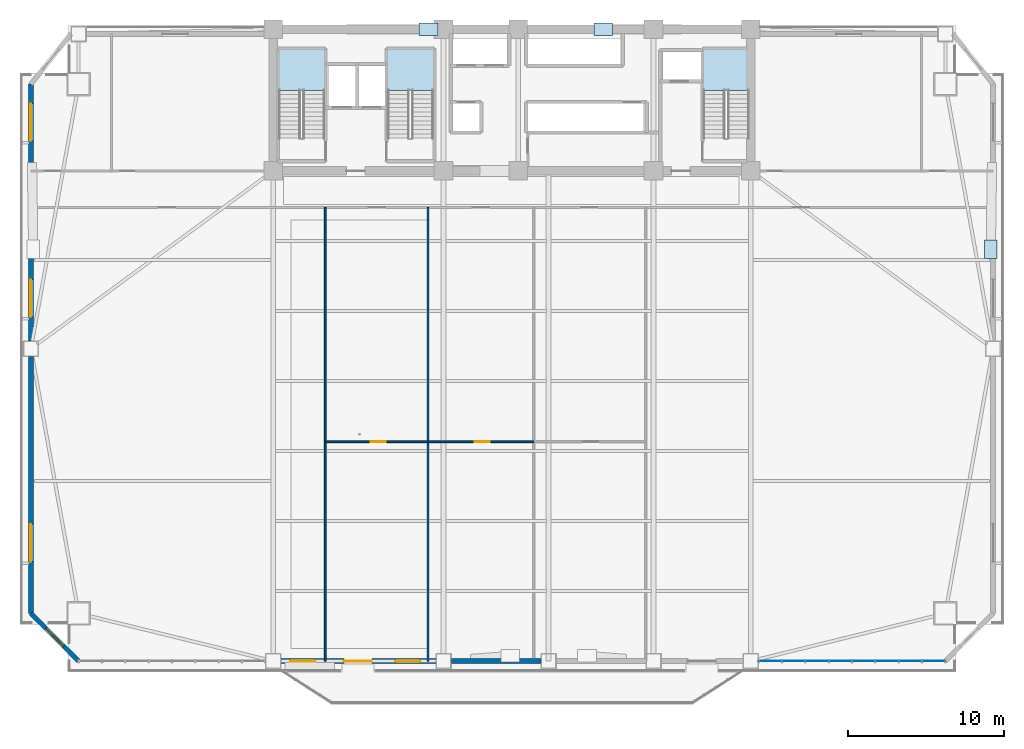
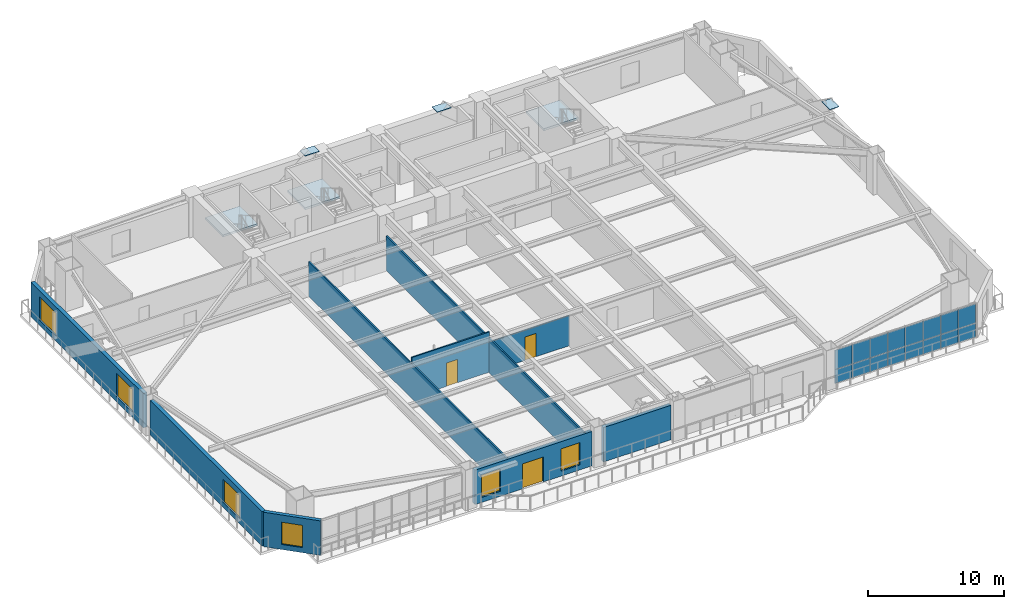
# One storey, part 7 of 16: 19 plates, 9 walls, 6 windows, 3 doors, 3 slabs, 9 openings, 4 elements without a shape of their own.
"""IFC4 building model written with IfcOpenShell, lengths in metres."""

from ifc_helpers import new_model, si_unit, direction, frame, frame_2d, origin, origin_2d, place, context, subcontext, project, spatial, polyline, rectangle, outline, extrude, source, transform, mapped, material, layer, layer_set, type_object, element, fill, aggregate, save


model = new_model("IFC4")

# Units and contexts
model_context = context("Model", 3, precision=1e-05, world=origin(), true_north=direction((0.0, 1.0)))
body_context = subcontext(model_context, "Body", "Model", "MODEL_VIEW")
ifc_project = project(units=[si_unit("LENGTHUNIT", "METRE"), si_unit("AREAUNIT", "SQUARE_METRE"), si_unit("VOLUMEUNIT", "CUBIC_METRE"), si_unit("PLANEANGLEUNIT", "RADIAN"), si_unit("MASSUNIT", "GRAM", prefix="KILO")], contexts=[model_context])

# Site, building, storey
site_placement = place(None, origin())
site = spatial("IfcSite", under=ifc_project, at=site_placement, CompositionType="ELEMENT")
building_placement = place(site_placement, origin())
building = spatial("IfcBuilding", under=site, at=building_placement, Name="Giltprow Tower", CompositionType="ELEMENT")
storey_placement = place(building_placement, frame((0.0, 0.0, 91.300048828125)))
storey = spatial("IfcBuildingStorey", under=building, at=storey_placement, Name="L22", CompositionType="ELEMENT", Elevation=91.300048828125)

# Stair, slab
ifc_material_1 = material(Name="Concrete C40", Category="concrete")
stair_type_1 = type_object("IfcStairType", Name="STR-ST-1", PredefinedType="HALF_TURN_STAIR", material=ifc_material_1)
stair_1_placement = place(storey_placement, origin())
stair_1 = element("IfcStair", 1, at=stair_1_placement, inside=storey, type_object=stair_type_1, Name="L22 Core Exit Stair ST-1", PredefinedType="HALF_TURN_STAIR")
ifc_layer_1 = layer(ifc_material_1, 0.179931640625, Name="Concrete C40")
ifc_layer_set_1 = layer_set([ifc_layer_1], Name="Concrete C40")
slab_type_1 = type_object("IfcSlabType", Name="SLD-ST-1", PredefinedType="LANDING", material=ifc_layer_set_1)
slab_1_placement = place(storey_placement, frame((0.0, 0.0, 1.77001953125)))
slab_1 = element("IfcSlab", 2, at=slab_1_placement, type_object=slab_type_1, Name="ST-1 landing 1", PredefinedType="LANDING", context=body_context, shape_type="SweptSolid", body=[
    extrude(outline(polyline([(23.159912109375, 42.6298828125), (23.159912109375, 45.25), (20.199951171875, 45.25), (20.199951171875, 42.6298828125), (23.159912109375, 42.6298828125)])), origin(), (0.0, 0.0, 1.0), 0.179931640625),
])
aggregate(stair_1, [slab_1])

stair_type_2 = type_object("IfcStairType", Name="STR-ST-2", PredefinedType="HALF_TURN_STAIR", material=ifc_material_1)
stair_2_placement = place(storey_placement, origin())
stair_2 = element("IfcStair", 3, at=stair_2_placement, inside=storey, type_object=stair_type_2, Name="L22 Core Exit Stair ST-2", PredefinedType="HALF_TURN_STAIR")
ifc_layer_2 = layer(ifc_material_1, 0.18798828125, Name="Concrete C40")
ifc_layer_set_2 = layer_set([ifc_layer_2], Name="Concrete C40")
slab_type_2 = type_object("IfcSlabType", Name="SLD-ST-2", PredefinedType="LANDING", material=ifc_layer_set_2)
slab_2_placement = place(storey_placement, frame((0.0, 0.0, 1.761962890625)))
slab_2 = element("IfcSlab", 4, at=slab_2_placement, type_object=slab_type_2, Name="ST-2 landing 1", PredefinedType="LANDING", context=body_context, shape_type="SweptSolid", body=[
    extrude(outline(polyline([(30.159912109375, 42.6298828125), (30.159912109375, 45.25), (27.199951171875, 45.25), (27.199951171875, 42.6298828125), (30.159912109375, 42.6298828125)])), origin(), (0.0, 0.0, 1.0), 0.18798828125),
])
aggregate(stair_2, [slab_2])

stair_type_3 = type_object("IfcStairType", Name="STR-ST-3", PredefinedType="HALF_TURN_STAIR", material=ifc_material_1)
stair_3_placement = place(storey_placement, origin())
stair_3 = element("IfcStair", 5, at=stair_3_placement, inside=storey, type_object=stair_type_3, Name="L22 Core Exit Stair ST-3", PredefinedType="HALF_TURN_STAIR")
ifc_layer_3 = layer(ifc_material_1, 0.196044921875, Name="Concrete C40")
ifc_layer_set_3 = layer_set([ifc_layer_3], Name="Concrete C40")
slab_type_3 = type_object("IfcSlabType", Name="SLD-ST-3", PredefinedType="LANDING", material=ifc_layer_set_3)
slab_3_placement = place(storey_placement, frame((0.0, 0.0, 1.75390625)))
slab_3 = element("IfcSlab", 6, at=slab_3_placement, type_object=slab_type_3, Name="ST-3 landing 1", PredefinedType="LANDING", context=body_context, shape_type="SweptSolid", body=[
    extrude(outline(polyline([(50.4599609375, 42.6298828125), (50.4599609375, 45.25), (47.5, 45.25), (47.5, 42.6298828125), (50.4599609375, 42.6298828125)])), origin(), (0.0, 0.0, 1.0), 0.196044921875),
])
aggregate(stair_3, [slab_3])

# Plates
ifc_material_2 = material(Name="Structural steel Q420GJC", Category="steel")
plate_type_1 = type_object("IfcPlateType", Name="PLT-CAP-SEAL", PredefinedType="USERDEFINED", material=ifc_material_2)
shared_shape_1 = source(origin(), body_context, "Body", "SweptSolid", [
    extrude(rectangle(XDim=1.199951171875, YDim=0.800048828125, at=origin_2d()), origin(), (0.0, 0.0, 1.0), 0.034912109375),
])
for number, where, z_axis, x_axis, name in (
    (7, (29.837890625, 46.550048828125, 3.74267578125), (0.0, 0.0, 1.0), (1.0, 0.0, 0.0), "Mega-Brace Node L22-N-LB"),
    (8, (41.070068359375, 46.550048828125, 3.74267578125), (0.0, 0.0, 1.0), (1.0, 0.0, 0.0), "Mega-Brace Node L22-N-RB"),
    (9, (65.97705078125, 32.407958984375, 3.88232421875), (0.0, 0.0, 1.0), (0.0, 1.0, 0.0), "Mega-Brace Node L22-E-RB"),
):
    element("IfcPlate", number, at=place(storey_placement, frame(where, z_axis=z_axis, x_axis=x_axis)), inside=storey, type_object=plate_type_1, Name=name, ObjectType="SPLICE", PredefinedType="USERDEFINED", context=body_context, shape_type="MappedRepresentation", body=[
        mapped(shared_shape_1, transform((0.0, 0.0, 0.0), x_axis=(1.0, 0.0, 0.0), y_axis=(0.0, 1.0, 0.0), z_axis=(0.0, 0.0, 1.0), scale=1.0)),
    ])

# Curtain wall, plates
ifc_material_3 = material(Name="Anodized bronze", Category="metal")
ifc_layer_4 = layer(ifc_material_3, 0.179931640625, Name="Anodized bronze")
ifc_layer_set_4 = layer_set([ifc_layer_4], Name="Anodized bronze")
curtain_wall_type = type_object("IfcCurtainWallType", Name="CW-OFF-RECESSED", PredefinedType="NOTDEFINED", material=ifc_layer_set_4)
curtain_wall_placement = place(storey_placement, origin())
curtain_wall = element("IfcCurtainWall", 10, at=curtain_wall_placement, inside=storey, type_object=curtain_wall_type, Name="L22 South Recessed Curtain Wall 6", PredefinedType="NOTDEFINED")
ifc_material_4 = material(Name="Insulated glass", Category="glass")
plate_type_2 = type_object("IfcPlateType", Name="CW-PANEL-IGU-28", PredefinedType="CURTAIN_PANEL", material=ifc_material_4)
shared_shape_2 = source(origin(), body_context, "Body", "SweptSolid", [
    extrude(rectangle(XDim=1.470947265625, YDim=0.028076171875, at=origin_2d()), origin(), (0.0, 0.0, 1.0), 1.23388671875),
])
plate_1_placement = place(storey_placement, frame((51.800048828125, 5.93603515625, 0.053955078125), z_axis=(0.0, 0.0, 1.0), x_axis=(1.0, 0.0, 0.0)))
plate_1 = element("IfcPlate", 11, at=plate_1_placement, type_object=plate_type_2, Name="L22 South Recessed Curtain Wall 6 Glazing Panel 1-1", PredefinedType="CURTAIN_PANEL", context=body_context, shape_type="MappedRepresentation", body=[
    mapped(shared_shape_2, transform((0.0, 0.0, 0.0), x_axis=(1.0, 0.0, 0.0), y_axis=(0.0, 1.0, 0.0), z_axis=(0.0, 0.0, 1.0), scale=1.0)),
])
plate_2_placement = place(storey_placement, frame((53.301025390625, 5.93603515625, 0.053955078125), z_axis=(0.0, 0.0, 1.0), x_axis=(1.0, 0.0, 0.0)))
plate_2 = element("IfcPlate", 12, at=plate_2_placement, type_object=plate_type_2, Name="L22 South Recessed Curtain Wall 6 Glazing Panel 2-1", PredefinedType="CURTAIN_PANEL", context=body_context, shape_type="MappedRepresentation", body=[
    mapped(shared_shape_2, transform((0.0, 0.0, 0.0), x_axis=(1.0, 0.0, 0.0), y_axis=(0.0, 1.0, 0.0), z_axis=(0.0, 0.0, 1.0), scale=1.0)),
])
plate_3_placement = place(storey_placement, frame((54.802001953125, 5.93603515625, 0.053955078125), z_axis=(0.0, 0.0, 1.0), x_axis=(1.0, 0.0, 0.0)))
plate_3 = element("IfcPlate", 13, at=plate_3_placement, type_object=plate_type_2, Name="L22 South Recessed Curtain Wall 6 Glazing Panel 3-1", PredefinedType="CURTAIN_PANEL", context=body_context, shape_type="MappedRepresentation", body=[
    mapped(shared_shape_2, transform((0.0, 0.0, 0.0), x_axis=(1.0, 0.0, 0.0), y_axis=(0.0, 1.0, 0.0), z_axis=(0.0, 0.0, 1.0), scale=1.0)),
])
plate_4_placement = place(storey_placement, frame((56.302978515625, 5.93603515625, 0.053955078125), z_axis=(0.0, 0.0, 1.0), x_axis=(1.0, 0.0, 0.0)))
plate_4 = element("IfcPlate", 14, at=plate_4_placement, type_object=plate_type_2, Name="L22 South Recessed Curtain Wall 6 Glazing Panel 4-1", PredefinedType="CURTAIN_PANEL", context=body_context, shape_type="MappedRepresentation", body=[
    mapped(shared_shape_2, transform((0.0, 0.0, 0.0), x_axis=(1.0, 0.0, 0.0), y_axis=(0.0, 1.0, 0.0), z_axis=(0.0, 0.0, 1.0), scale=1.0)),
])
plate_5_placement = place(storey_placement, frame((57.802978515625, 5.93603515625, 0.053955078125), z_axis=(0.0, 0.0, 1.0), x_axis=(1.0, 0.0, 0.0)))
plate_5 = element("IfcPlate", 15, at=plate_5_placement, type_object=plate_type_2, Name="L22 South Recessed Curtain Wall 6 Glazing Panel 5-1", PredefinedType="CURTAIN_PANEL", context=body_context, shape_type="MappedRepresentation", body=[
    mapped(shared_shape_2, transform((0.0, 0.0, 0.0), x_axis=(1.0, 0.0, 0.0), y_axis=(0.0, 1.0, 0.0), z_axis=(0.0, 0.0, 1.0), scale=1.0)),
])
plate_6_placement = place(storey_placement, frame((59.303955078125, 5.93603515625, 0.053955078125), z_axis=(0.0, 0.0, 1.0), x_axis=(1.0, 0.0, 0.0)))
plate_6 = element("IfcPlate", 16, at=plate_6_placement, type_object=plate_type_2, Name="L22 South Recessed Curtain Wall 6 Glazing Panel 6-1", PredefinedType="CURTAIN_PANEL", context=body_context, shape_type="MappedRepresentation", body=[
    mapped(shared_shape_2, transform((0.0, 0.0, 0.0), x_axis=(1.0, 0.0, 0.0), y_axis=(0.0, 1.0, 0.0), z_axis=(0.0, 0.0, 1.0), scale=1.0)),
])
plate_7_placement = place(storey_placement, frame((60.804931640625, 5.93603515625, 0.053955078125), z_axis=(0.0, 0.0, 1.0), x_axis=(1.0, 0.0, 0.0)))
plate_7 = element("IfcPlate", 17, at=plate_7_placement, type_object=plate_type_2, Name="L22 South Recessed Curtain Wall 6 Glazing Panel 7-1", PredefinedType="CURTAIN_PANEL", context=body_context, shape_type="MappedRepresentation", body=[
    mapped(shared_shape_2, transform((0.0, 0.0, 0.0), x_axis=(1.0, 0.0, 0.0), y_axis=(0.0, 1.0, 0.0), z_axis=(0.0, 0.0, 1.0), scale=1.0)),
])
plate_8_placement = place(storey_placement, frame((62.305908203125, 5.93603515625, 0.053955078125), z_axis=(0.0, 0.0, 1.0), x_axis=(1.0, 0.0, 0.0)))
plate_8 = element("IfcPlate", 18, at=plate_8_placement, type_object=plate_type_2, Name="L22 South Recessed Curtain Wall 6 Glazing Panel 8-1", PredefinedType="CURTAIN_PANEL", context=body_context, shape_type="MappedRepresentation", body=[
    mapped(shared_shape_2, transform((0.0, 0.0, 0.0), x_axis=(1.0, 0.0, 0.0), y_axis=(0.0, 1.0, 0.0), z_axis=(0.0, 0.0, 1.0), scale=1.0)),
])
shared_shape_3 = source(origin(), body_context, "Body", "SweptSolid", [
    extrude(rectangle(XDim=1.470947265625, YDim=0.028076171875, at=origin_2d()), origin(), (0.0, 0.0, 1.0), 1.72998046875),
])
plate_9_placement = place(storey_placement, frame((51.800048828125, 5.93603515625, 1.31591796875), z_axis=(0.0, 0.0, 1.0), x_axis=(1.0, 0.0, 0.0)))
plate_9 = element("IfcPlate", 19, at=plate_9_placement, type_object=plate_type_2, Name="L22 South Recessed Curtain Wall 6 Glazing Panel 1-2", PredefinedType="CURTAIN_PANEL", context=body_context, shape_type="MappedRepresentation", body=[
    mapped(shared_shape_3, transform((0.0, 0.0, 0.0), x_axis=(1.0, 0.0, 0.0), y_axis=(0.0, 1.0, 0.0), z_axis=(0.0, 0.0, 1.0), scale=1.0)),
])
plate_10_placement = place(storey_placement, frame((53.301025390625, 5.93603515625, 1.31591796875), z_axis=(0.0, 0.0, 1.0), x_axis=(1.0, 0.0, 0.0)))
plate_10 = element("IfcPlate", 20, at=plate_10_placement, type_object=plate_type_2, Name="L22 South Recessed Curtain Wall 6 Glazing Panel 2-2", PredefinedType="CURTAIN_PANEL", context=body_context, shape_type="MappedRepresentation", body=[
    mapped(shared_shape_3, transform((0.0, 0.0, 0.0), x_axis=(1.0, 0.0, 0.0), y_axis=(0.0, 1.0, 0.0), z_axis=(0.0, 0.0, 1.0), scale=1.0)),
])
plate_11_placement = place(storey_placement, frame((54.802001953125, 5.93603515625, 1.31591796875), z_axis=(0.0, 0.0, 1.0), x_axis=(1.0, 0.0, 0.0)))
plate_11 = element("IfcPlate", 21, at=plate_11_placement, type_object=plate_type_2, Name="L22 South Recessed Curtain Wall 6 Glazing Panel 3-2", PredefinedType="CURTAIN_PANEL", context=body_context, shape_type="MappedRepresentation", body=[
    mapped(shared_shape_3, transform((0.0, 0.0, 0.0), x_axis=(1.0, 0.0, 0.0), y_axis=(0.0, 1.0, 0.0), z_axis=(0.0, 0.0, 1.0), scale=1.0)),
])
plate_12_placement = place(storey_placement, frame((56.302978515625, 5.93603515625, 1.31591796875), z_axis=(0.0, 0.0, 1.0), x_axis=(1.0, 0.0, 0.0)))
plate_12 = element("IfcPlate", 22, at=plate_12_placement, type_object=plate_type_2, Name="L22 South Recessed Curtain Wall 6 Glazing Panel 4-2", PredefinedType="CURTAIN_PANEL", context=body_context, shape_type="MappedRepresentation", body=[
    mapped(shared_shape_3, transform((0.0, 0.0, 0.0), x_axis=(1.0, 0.0, 0.0), y_axis=(0.0, 1.0, 0.0), z_axis=(0.0, 0.0, 1.0), scale=1.0)),
])
plate_13_placement = place(storey_placement, frame((57.802978515625, 5.93603515625, 1.31591796875), z_axis=(0.0, 0.0, 1.0), x_axis=(1.0, 0.0, 0.0)))
plate_13 = element("IfcPlate", 23, at=plate_13_placement, type_object=plate_type_2, Name="L22 South Recessed Curtain Wall 6 Glazing Panel 5-2", PredefinedType="CURTAIN_PANEL", context=body_context, shape_type="MappedRepresentation", body=[
    mapped(shared_shape_3, transform((0.0, 0.0, 0.0), x_axis=(1.0, 0.0, 0.0), y_axis=(0.0, 1.0, 0.0), z_axis=(0.0, 0.0, 1.0), scale=1.0)),
])
plate_14_placement = place(storey_placement, frame((59.303955078125, 5.93603515625, 1.31591796875), z_axis=(0.0, 0.0, 1.0), x_axis=(1.0, 0.0, 0.0)))
plate_14 = element("IfcPlate", 24, at=plate_14_placement, type_object=plate_type_2, Name="L22 South Recessed Curtain Wall 6 Glazing Panel 6-2", PredefinedType="CURTAIN_PANEL", context=body_context, shape_type="MappedRepresentation", body=[
    mapped(shared_shape_3, transform((0.0, 0.0, 0.0), x_axis=(1.0, 0.0, 0.0), y_axis=(0.0, 1.0, 0.0), z_axis=(0.0, 0.0, 1.0), scale=1.0)),
])
plate_15_placement = place(storey_placement, frame((60.804931640625, 5.93603515625, 1.31591796875), z_axis=(0.0, 0.0, 1.0), x_axis=(1.0, 0.0, 0.0)))
plate_15 = element("IfcPlate", 25, at=plate_15_placement, type_object=plate_type_2, Name="L22 South Recessed Curtain Wall 6 Glazing Panel 7-2", PredefinedType="CURTAIN_PANEL", context=body_context, shape_type="MappedRepresentation", body=[
    mapped(shared_shape_3, transform((0.0, 0.0, 0.0), x_axis=(1.0, 0.0, 0.0), y_axis=(0.0, 1.0, 0.0), z_axis=(0.0, 0.0, 1.0), scale=1.0)),
])
plate_16_placement = place(storey_placement, frame((62.305908203125, 5.93603515625, 1.31591796875), z_axis=(0.0, 0.0, 1.0), x_axis=(1.0, 0.0, 0.0)))
plate_16 = element("IfcPlate", 26, at=plate_16_placement, type_object=plate_type_2, Name="L22 South Recessed Curtain Wall 6 Glazing Panel 8-2", PredefinedType="CURTAIN_PANEL", context=body_context, shape_type="MappedRepresentation", body=[
    mapped(shared_shape_3, transform((0.0, 0.0, 0.0), x_axis=(1.0, 0.0, 0.0), y_axis=(0.0, 1.0, 0.0), z_axis=(0.0, 0.0, 1.0), scale=1.0)),
])
aggregate(curtain_wall, [plate_1, plate_9, plate_2, plate_10, plate_3, plate_11, plate_4, plate_12, plate_5, plate_13, plate_6, plate_14, plate_7, plate_15, plate_8, plate_16])

# Wall, opening, window
ifc_material_5 = material(Name="Precast concrete C40", Category="concrete")
ifc_layer_5 = layer(ifc_material_5, 0.300048828125, Name="Precast concrete C40")
ifc_layer_set_5 = layer_set([ifc_layer_5], Name="Precast concrete C40")
wall_type_1 = type_object("IfcWallType", Name="EW-NOTCH-CHAMFER-300", PredefinedType="SOLIDWALL", material=ifc_layer_set_5)
wall_1_placement = place(storey_placement, frame((4.27490234375, 9.006103515625, 0.0), z_axis=(0.0, 0.0, 1.0), x_axis=(0.707106781187, -0.707106781187, 0.0)))
wall_1 = element("IfcWall", 27, at=wall_1_placement, inside=storey, type_object=wall_type_1, Name="L22 Corner Notch Wall SW", PredefinedType="SOLIDWALL", context=body_context, shape_type="SweptSolid", body=[
    extrude(rectangle(XDim=4.341796875, YDim=0.300048828125, at=frame_2d((2.1708984375, 0.0))), origin(), (0.0, 0.0, 1.0), 3.099853515625),
])
opening_1_placement = place(wall_1_placement, frame((1.37109375, 0.0, 0.449951171875)))
opening_1 = element("IfcOpeningElement", 28, at=opening_1_placement, cuts=wall_1, Name="Opening WN17", PredefinedType="OPENING", context=body_context, shape_type="SweptSolid", body=[
    extrude(rectangle(XDim=1.60009765625, YDim=2.0, at=frame_2d((0.800048828125, 1.0))), frame((0.0, 0.159912109375, 0.0), z_axis=(0.0, -1.0, 0.0), x_axis=(1.0, 0.0, 0.0)), (0.0, 0.0, 1.0), 0.320068359375),
])
window_type_1 = type_object("IfcWindowType", Name="WN-COR-1600x2000", PartitioningType="SINGLE_PANEL", PredefinedType="WINDOW", material=ifc_material_4)
shared_shape_4 = source(origin(), body_context, "Body", "SweptSolid", [
    extrude(rectangle(XDim=1.60009765625, YDim=2.0, at=frame_2d((0.800048828125, 1.0))), frame((0.0, 0.030029296875, 0.0), z_axis=(0.0, -1.0, 0.0), x_axis=(1.0, 0.0, 0.0)), (0.0, 0.0, 1.0), 0.06005859375),
])
window_1_placement = place(opening_1_placement, origin())
window_1 = element("IfcWindow", 29, at=window_1_placement, inside=storey, type_object=window_type_1, Name="L22 Corner Notch Window SW", OverallHeight=2.0, OverallWidth=1.60009765625, PartitioningType="SINGLE_PANEL", PredefinedType="WINDOW", context=body_context, shape_type="MappedRepresentation", body=[
    mapped(shared_shape_4, transform((0.0, 0.0, 0.0), x_axis=(1.0, 0.0, 0.0), y_axis=(0.0, 1.0, 0.0), z_axis=(0.0, 0.0, 1.0), scale=1.0)),
])
fill(opening_1, window_1)

# Wall, openings, windows, door
ifc_layer_6 = layer(ifc_material_5, 0.320068359375, Name="Precast concrete C40")
ifc_layer_set_6 = layer_set([ifc_layer_6], Name="Precast concrete C40")
wall_type_2 = type_object("IfcWallType", Name="EW-TOW-STONE-320", PredefinedType="SOLIDWALL", material=ifc_layer_set_6)
wall_2_placement = place(storey_placement, frame((20.35009765625, 5.93603515625, 0.0), z_axis=(0.0, 0.0, 1.0), x_axis=(1.0, 0.0, 0.0)))
wall_2 = element("IfcWall", 30, at=wall_2_placement, inside=storey, type_object=wall_type_2, Name="L22 South Expressed Frame Wall 2", PredefinedType="SOLIDWALL", context=body_context, shape_type="SweptSolid", body=[
    extrude(rectangle(XDim=9.949951171875, YDim=0.320068359375, at=frame_2d((4.97509765625, 0.0))), origin(), (0.0, 0.0, 1.0), 3.099853515625),
])
opening_2_placement = place(wall_2_placement, frame((4.050048828125, 0.0, 0.0)))
opening_2 = element("IfcOpeningElement", 31, at=opening_2_placement, cuts=wall_2, Name="Opening ED25", PredefinedType="OPENING", context=body_context, shape_type="SweptSolid", body=[
    extrude(rectangle(XDim=1.800048828125, YDim=2.25, at=frame_2d((0.89990234375, 1.125))), frame((0.0, 0.169921875, 0.0), z_axis=(0.0, -1.0, 0.0), x_axis=(1.0, 0.0, 0.0)), (0.0, 0.0, 1.0), 0.340087890625),
])
opening_3_placement = place(wall_2_placement, frame((0.590087890625, 0.0, 0.449951171875)))
opening_3 = element("IfcOpeningElement", 32, at=opening_3_placement, cuts=wall_2, Name="Opening WN17", PredefinedType="OPENING", context=body_context, shape_type="SweptSolid", body=[
    extrude(rectangle(XDim=1.60009765625, YDim=2.0, at=frame_2d((0.800048828125, 1.0))), frame((0.0, 0.169921875, 0.0), z_axis=(0.0, -1.0, 0.0), x_axis=(1.0, 0.0, 0.0)), (0.0, 0.0, 1.0), 0.340087890625),
])
opening_4_placement = place(wall_2_placement, frame((7.35009765625, 0.0, 0.449951171875)))
opening_4 = element("IfcOpeningElement", 33, at=opening_4_placement, cuts=wall_2, Name="Opening WN17", PredefinedType="OPENING", context=body_context, shape_type="SweptSolid", body=[
    extrude(rectangle(XDim=1.60009765625, YDim=2.0, at=frame_2d((0.800048828125, 1.0))), frame((0.0, 0.169921875, 0.0), z_axis=(0.0, -1.0, 0.0), x_axis=(1.0, 0.0, 0.0)), (0.0, 0.0, 1.0), 0.340087890625),
])
window_2_placement = place(opening_3_placement, origin())
window_2 = element("IfcWindow", 34, at=window_2_placement, inside=storey, type_object=window_type_1, Name="L22 South Window 2A", OverallHeight=2.0, OverallWidth=1.60009765625, PartitioningType="SINGLE_PANEL", PredefinedType="WINDOW", context=body_context, shape_type="MappedRepresentation", body=[
    mapped(shared_shape_4, transform((0.0, 0.0, 0.0), x_axis=(1.0, 0.0, 0.0), y_axis=(0.0, 1.0, 0.0), z_axis=(0.0, 0.0, 1.0), scale=1.0)),
])
fill(opening_3, window_2)
window_3_placement = place(opening_4_placement, origin())
window_3 = element("IfcWindow", 35, at=window_3_placement, inside=storey, type_object=window_type_1, Name="L22 South Window 2B", OverallHeight=2.0, OverallWidth=1.60009765625, PartitioningType="SINGLE_PANEL", PredefinedType="WINDOW", context=body_context, shape_type="MappedRepresentation", body=[
    mapped(shared_shape_4, transform((0.0, 0.0, 0.0), x_axis=(1.0, 0.0, 0.0), y_axis=(0.0, 1.0, 0.0), z_axis=(0.0, 0.0, 1.0), scale=1.0)),
])
fill(opening_4, window_3)
ifc_material_6 = material(Name="Anodized bronze and glass", Category="glass")
door_type_1 = type_object("IfcDoorType", Name="DR-BALC-SLIDE-1800", OperationType="SLIDING_TO_LEFT", PredefinedType="DOOR", material=ifc_material_6)
shared_shape_5 = source(origin(), body_context, "Body", "SweptSolid", [
    extrude(rectangle(XDim=1.800048828125, YDim=2.25, at=frame_2d((0.89990234375, 1.125))), frame((0.0, 0.02490234375, 0.0), z_axis=(0.0, -1.0, 0.0), x_axis=(1.0, 0.0, 0.0)), (0.0, 0.0, 1.0), 0.050048828125),
])
door_1_placement = place(opening_2_placement, origin())
door_1 = element("IfcDoor", 36, at=door_1_placement, inside=storey, type_object=door_type_1, Name="L22 Waterfront Balcony Sliding Door 1", OperationType="SLIDING_TO_LEFT", OverallHeight=2.25, OverallWidth=1.800048828125, PredefinedType="DOOR", context=body_context, shape_type="MappedRepresentation", body=[
    mapped(shared_shape_5, transform((0.0, 0.0, 0.0), x_axis=(1.0, 0.0, 0.0), y_axis=(0.0, 1.0, 0.0), z_axis=(0.0, 0.0, 1.0), scale=1.0)),
])
fill(opening_2, door_1)

# Wall
wall_3_placement = place(storey_placement, frame((31.300048828125, 5.93603515625, 0.0), z_axis=(0.0, 0.0, 1.0), x_axis=(1.0, 0.0, 0.0)))
element("IfcWall", 37, at=wall_3_placement, inside=storey, type_object=wall_type_2, Name="L22 South Expressed Frame Wall 3", PredefinedType="SOLIDWALL", context=body_context, shape_type="SweptSolid", body=[
    extrude(rectangle(XDim=5.75, YDim=0.320068359375, at=frame_2d((2.875, 0.0))), origin(), (0.0, 0.0, 1.0), 3.099853515625),
])

# Wall, opening, window
wall_4_placement = place(storey_placement, frame((4.27490234375, 9.006103515625, 0.0), z_axis=(0.0, 0.0, 1.0), x_axis=(0.0, 1.0, 0.0)))
wall_4 = element("IfcWall", 38, at=wall_4_placement, inside=storey, type_object=wall_type_2, Name="L22 W Wing Masonry Wall 1", PredefinedType="SOLIDWALL", context=body_context, shape_type="SweptSolid", body=[
    extrude(rectangle(XDim=16.511962890625, YDim=0.320068359375, at=frame_2d((8.255859375, 0.0))), origin(), (0.0, 0.0, 1.0), 3.099853515625),
])
opening_5_placement = place(wall_4_placement, frame((3.3330078125, 0.0, 0.449951171875)))
opening_5 = element("IfcOpeningElement", 39, at=opening_5_placement, cuts=wall_4, Name="Opening WN29", PredefinedType="OPENING", context=body_context, shape_type="SweptSolid", body=[
    extrude(rectangle(XDim=2.39990234375, YDim=2.10009765625, at=frame_2d((1.199951171875, 1.050048828125))), frame((0.0, 0.169921875, 0.0), z_axis=(0.0, -1.0, 0.0), x_axis=(1.0, 0.0, 0.0)), (0.0, 0.0, 1.0), 0.340087890625),
])
window_type_2 = type_object("IfcWindowType", Name="WN-OFF-2400x2100", PartitioningType="DOUBLE_PANEL_VERTICAL", PredefinedType="WINDOW", material=ifc_material_4)
shared_shape_6 = source(origin(), body_context, "Body", "SweptSolid", [
    extrude(rectangle(XDim=2.39990234375, YDim=2.10009765625, at=frame_2d((1.199951171875, 1.050048828125))), frame((0.0, 0.030029296875, 0.0), z_axis=(0.0, -1.0, 0.0), x_axis=(1.0, 0.0, 0.0)), (0.0, 0.0, 1.0), 0.06005859375),
])
window_4_placement = place(opening_5_placement, origin())
window_4 = element("IfcWindow", 40, at=window_4_placement, inside=storey, type_object=window_type_2, Name="L22 W Wing Window 1-1A", OverallHeight=2.10009765625, OverallWidth=2.39990234375, PartitioningType="SINGLE_PANEL", PredefinedType="WINDOW", context=body_context, shape_type="MappedRepresentation", body=[
    mapped(shared_shape_6, transform((0.0, 0.0, 0.0), x_axis=(1.0, 0.0, 0.0), y_axis=(0.0, 1.0, 0.0), z_axis=(0.0, 0.0, 1.0), scale=1.0)),
])
fill(opening_5, window_4)

# Wall, openings, windows
wall_5_placement = place(storey_placement, frame((4.27490234375, 26.51806640625, 0.0), z_axis=(0.0, 0.0, 1.0), x_axis=(0.0, 1.0, 0.0)))
wall_5 = element("IfcWall", 41, at=wall_5_placement, inside=storey, type_object=wall_type_2, Name="L22 W Wing Masonry Wall 2", PredefinedType="SOLIDWALL", context=body_context, shape_type="SweptSolid", body=[
    extrude(rectangle(XDim=16.511962890625, YDim=0.320068359375, at=frame_2d((8.255859375, 0.0))), origin(), (0.0, 0.0, 1.0), 3.099853515625),
])
opening_6_placement = place(wall_5_placement, frame((1.544921875, 0.0, 0.449951171875)))
opening_6 = element("IfcOpeningElement", 42, at=opening_6_placement, cuts=wall_5, Name="Opening WN29", PredefinedType="OPENING", context=body_context, shape_type="SweptSolid", body=[
    extrude(rectangle(XDim=2.39990234375, YDim=2.10009765625, at=frame_2d((1.199951171875, 1.050048828125))), frame((0.0, 0.169921875, 0.0), z_axis=(0.0, -1.0, 0.0), x_axis=(1.0, 0.0, 0.0)), (0.0, 0.0, 1.0), 0.340087890625),
])
opening_7_placement = place(wall_5_placement, frame((12.85595703125, 0.0, 0.449951171875)))
opening_7 = element("IfcOpeningElement", 43, at=opening_7_placement, cuts=wall_5, Name="Opening WN29", PredefinedType="OPENING", context=body_context, shape_type="SweptSolid", body=[
    extrude(rectangle(XDim=2.39990234375, YDim=2.10009765625, at=frame_2d((1.199951171875, 1.050048828125))), frame((0.0, 0.169921875, 0.0), z_axis=(0.0, -1.0, 0.0), x_axis=(1.0, 0.0, 0.0)), (0.0, 0.0, 1.0), 0.340087890625),
])
window_5_placement = place(opening_6_placement, origin())
window_5 = element("IfcWindow", 44, at=window_5_placement, inside=storey, type_object=window_type_2, Name="L22 W Wing Window 2-1", OverallHeight=2.10009765625, OverallWidth=2.39990234375, PartitioningType="SINGLE_PANEL", PredefinedType="WINDOW", context=body_context, shape_type="MappedRepresentation", body=[
    mapped(shared_shape_6, transform((0.0, 0.0, 0.0), x_axis=(1.0, 0.0, 0.0), y_axis=(0.0, 1.0, 0.0), z_axis=(0.0, 0.0, 1.0), scale=1.0)),
])
fill(opening_6, window_5)
window_6_placement = place(opening_7_placement, origin())
window_6 = element("IfcWindow", 45, at=window_6_placement, inside=storey, type_object=window_type_2, Name="L22 W Wing Window 2-2", OverallHeight=2.10009765625, OverallWidth=2.39990234375, PartitioningType="SINGLE_PANEL", PredefinedType="WINDOW", context=body_context, shape_type="MappedRepresentation", body=[
    mapped(shared_shape_6, transform((0.0, 0.0, 0.0), x_axis=(1.0, 0.0, 0.0), y_axis=(0.0, 1.0, 0.0), z_axis=(0.0, 0.0, 1.0), scale=1.0)),
])
fill(opening_7, window_6)

# Wall
ifc_material_7 = material(Name="Gypsum stud partition", Category="gypsum")
ifc_layer_7 = layer(ifc_material_7, 0.1201171875, Name="Gypsum stud partition")
ifc_layer_set_7 = layer_set([ifc_layer_7], Name="Gypsum stud partition")
wall_type_3 = type_object("IfcWallType", Name="IW-ROOM-120", PredefinedType="PARTITIONING", material=ifc_layer_set_7)
wall_6_placement = place(storey_placement, frame((23.199951171875, 5.93603515625, 0.0), z_axis=(0.0, 0.0, 1.0), x_axis=(0.0, 1.0, 0.0)))
element("IfcWall", 46, at=wall_6_placement, inside=storey, type_object=wall_type_3, Name="L22 Office Partition 1", PredefinedType="PARTITIONING", context=body_context, shape_type="SweptSolid", body=[
    extrude(rectangle(XDim=29.1640625, YDim=0.1201171875, at=frame_2d((14.58203125, 0.0))), origin(), (0.0, 0.0, 1.0), 3.10498046875),
])

# Wall, opening, door
wall_7_placement = place(storey_placement, frame((23.199951171875, 20.0390625, 0.0), z_axis=(0.0, 0.0, 1.0), x_axis=(1.0, 0.0, 0.0)))
wall_7 = element("IfcWall", 47, at=wall_7_placement, inside=storey, type_object=wall_type_3, Name="L22 Office Mid Wall 2", PredefinedType="PARTITIONING", context=body_context, shape_type="SweptSolid", body=[
    extrude(rectangle(XDim=6.60009765625, YDim=0.1201171875, at=frame_2d((3.300048828125, 0.0))), origin(), (0.0, 0.0, 1.0), 3.619873046875),
])
opening_8_placement = place(wall_7_placement, frame((2.93505859375, 0.0, 0.0)))
opening_8 = element("IfcOpeningElement", 48, at=opening_8_placement, cuts=wall_7, Name="Opening ID11", PredefinedType="OPENING", context=body_context, shape_type="SweptSolid", body=[
    extrude(rectangle(XDim=0.949951171875, YDim=2.10009765625, at=frame_2d((0.47509765625, 1.050048828125))), frame((0.0, 0.070068359375, 0.0), z_axis=(0.0, -1.0, 0.0), x_axis=(1.0, 0.0, 0.0)), (0.0, 0.0, 1.0), 0.14013671875),
])
ifc_material_8 = material(Name="Engineered timber", Category="wood")
door_type_2 = type_object("IfcDoorType", Name="DR-ROOM-950", OperationType="SINGLE_SWING_RIGHT", PredefinedType="DOOR", material=ifc_material_8)
shared_shape_7 = source(origin(), body_context, "Body", "SweptSolid", [
    extrude(rectangle(XDim=0.949951171875, YDim=2.10009765625, at=frame_2d((0.47509765625, 1.050048828125))), frame((0.0, 0.02490234375, 0.0), z_axis=(0.0, -1.0, 0.0), x_axis=(1.0, 0.0, 0.0)), (0.0, 0.0, 1.0), 0.050048828125),
])
door_2_placement = place(opening_8_placement, origin())
door_2 = element("IfcDoor", 49, at=door_2_placement, inside=storey, type_object=door_type_2, Name="L22 Catering Prep Kitchen 2 Inner Door", OperationType="SINGLE_SWING_RIGHT", OverallHeight=2.10009765625, OverallWidth=0.949951171875, PredefinedType="DOOR", context=body_context, shape_type="MappedRepresentation", body=[
    mapped(shared_shape_7, transform((0.0, 0.0, 0.0), x_axis=(1.0, 0.0, 0.0), y_axis=(0.0, 1.0, 0.0), z_axis=(0.0, 0.0, 1.0), scale=1.0)),
])
fill(opening_8, door_2)

# Wall
wall_8_placement = place(storey_placement, frame((29.800048828125, 5.93603515625, 0.0), z_axis=(0.0, 0.0, 1.0), x_axis=(0.0, 1.0, 0.0)))
element("IfcWall", 50, at=wall_8_placement, inside=storey, type_object=wall_type_3, Name="L22 Office Partition 2", PredefinedType="PARTITIONING", context=body_context, shape_type="SweptSolid", body=[
    extrude(rectangle(XDim=29.1640625, YDim=0.1201171875, at=frame_2d((14.58203125, 0.0))), origin(), (0.0, 0.0, 1.0), 3.10498046875),
])

# Wall, opening, door
wall_9_placement = place(storey_placement, frame((29.800048828125, 20.0390625, 0.0), z_axis=(0.0, 0.0, 1.0), x_axis=(1.0, 0.0, 0.0)))
wall_9 = element("IfcWall", 51, at=wall_9_placement, inside=storey, type_object=wall_type_3, Name="L22 Office Mid Wall 3", PredefinedType="PARTITIONING", context=body_context, shape_type="SweptSolid", body=[
    extrude(rectangle(XDim=6.800048828125, YDim=0.1201171875, at=frame_2d((3.39990234375, 0.0))), origin(), (0.0, 0.0, 1.0), 2.704833984375),
])
opening_9_placement = place(wall_9_placement, frame((3.01904296875, 0.0, 0.0)))
opening_9 = element("IfcOpeningElement", 52, at=opening_9_placement, cuts=wall_9, Name="Opening ID11", PredefinedType="OPENING", context=body_context, shape_type="SweptSolid", body=[
    extrude(rectangle(XDim=0.949951171875, YDim=2.10009765625, at=frame_2d((0.47509765625, 1.050048828125))), frame((0.0, 0.070068359375, 0.0), z_axis=(0.0, -1.0, 0.0), x_axis=(1.0, 0.0, 0.0)), (0.0, 0.0, 1.0), 0.14013671875),
])
door_3_placement = place(opening_9_placement, origin())
door_3 = element("IfcDoor", 53, at=door_3_placement, inside=storey, type_object=door_type_2, Name="L22 Pastry Tasting Kitchen 3 Inner Door", OperationType="SINGLE_SWING_RIGHT", OverallHeight=2.10009765625, OverallWidth=0.949951171875, PredefinedType="DOOR", context=body_context, shape_type="MappedRepresentation", body=[
    mapped(shared_shape_7, transform((0.0, 0.0, 0.0), x_axis=(1.0, 0.0, 0.0), y_axis=(0.0, 1.0, 0.0), z_axis=(0.0, 0.0, 1.0), scale=1.0)),
])
fill(opening_9, door_3)

save(model, "model.ifc")
